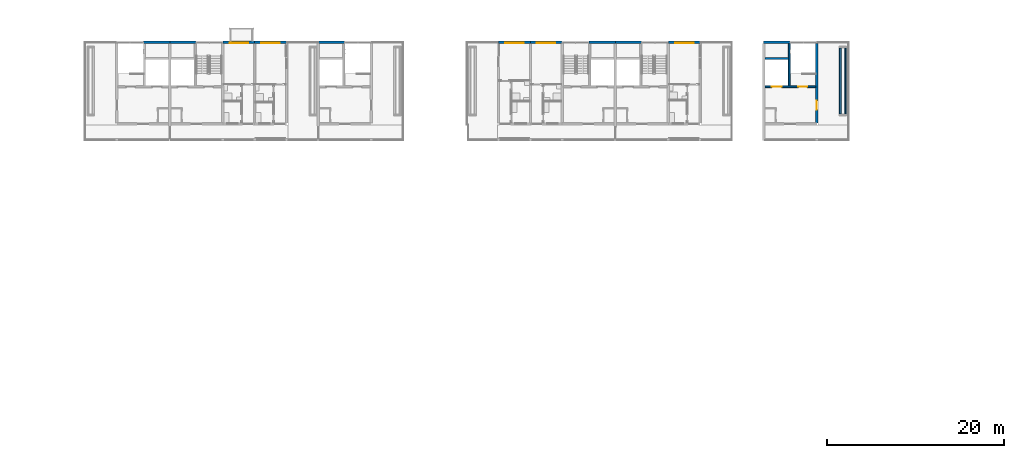
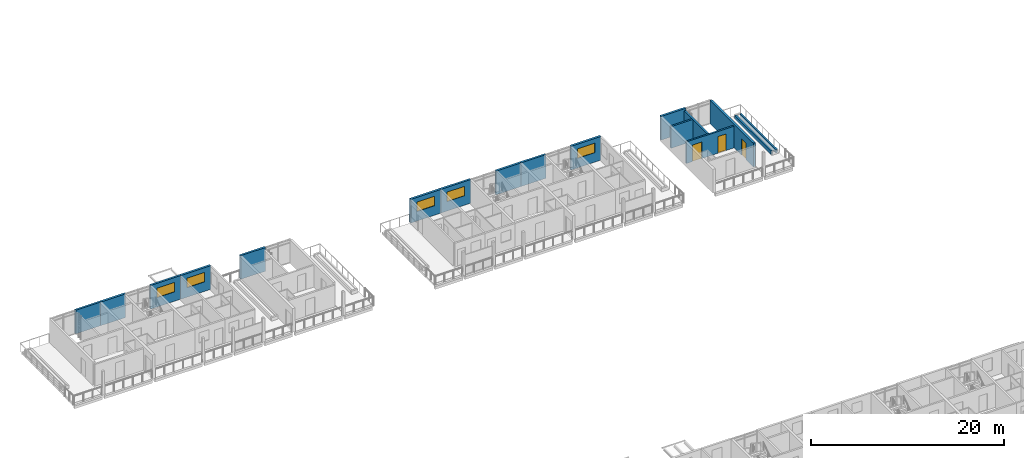
# One storey, part 44 of 94: 17 walls, 5 windows, 3 doors, 8 openings.
"""IFC4 building model written with IfcOpenShell, lengths in metres."""

from ifc_helpers import new_model, si_unit, direction, frame, frame_2d, origin, place, context, subcontext, project, spatial, rectangle, extrude, material, layer, layer_set, type_object, element, fill, save


model = new_model("IFC4")

# Units and contexts
model_context = context("Model", 3, precision=1e-05, world=origin(), true_north=direction((0.0, 1.0)))
body_context = subcontext(model_context, "Body", "Model", "MODEL_VIEW")
ifc_project = project(units=[si_unit("LENGTHUNIT", "METRE"), si_unit("AREAUNIT", "SQUARE_METRE"), si_unit("VOLUMEUNIT", "CUBIC_METRE"), si_unit("PLANEANGLEUNIT", "RADIAN"), si_unit("MASSUNIT", "GRAM", prefix="KILO")], contexts=[model_context])

# Site, building, storey
site_placement = place(None, origin())
site = spatial("IfcSite", under=ifc_project, at=site_placement, CompositionType="ELEMENT")
building_placement = place(site_placement, origin())
building = spatial("IfcBuilding", under=site, at=building_placement, Name="Ridgestep Commons", CompositionType="ELEMENT")
storey_placement = place(building_placement, frame((0.0, 0.0, 24.0)))
storey = spatial("IfcBuildingStorey", under=building, at=storey_placement, Name="L08", CompositionType="ELEMENT", Elevation=24.0)

# Wall, openings, doors
ifc_material_1 = material(Name="Concrete C30/37", Category="concrete")
ifc_layer_1 = layer(ifc_material_1, 0.199951171875)
ifc_layer_set_1 = layer_set([ifc_layer_1], Name="Core wall 200")
wall_type_1 = type_object("IfcWallType", Name="Core wall 200", PredefinedType="SHEAR", material=ifc_layer_set_1)
wall_1_placement = place(storey_placement, frame((96.14990234375, 72.10009765625, 0.0), z_axis=(0.0, 0.0, 1.0), x_axis=(1.0, 0.0, 0.0)))
wall_1 = element("IfcWall", 1, at=wall_1_placement, inside=storey, type_object=wall_type_1, Name="Core lobby wall B6C L08", PredefinedType="SHEAR", context=body_context, shape_type="SweptSolid", body=[
    extrude(rectangle(XDim=5.72509765625, YDim=0.199951171875, at=frame_2d((2.862548828125, 0.0))), origin(), (0.0, 0.0, 1.0), 2.75),
])
opening_1_placement = place(wall_1_placement, frame((3.77490234375, 0.0, 0.0)))
opening_1 = element("IfcOpeningElement", 2, at=opening_1_placement, cuts=wall_1, Name="Opening B6C/08/2", PredefinedType="OPENING", context=body_context, shape_type="SweptSolid", body=[
    extrude(rectangle(XDim=1.0, YDim=2.10009765625, at=frame_2d((0.5, 1.050048828125))), frame((0.0, 0.10986328125, 0.0), z_axis=(0.0, -1.0, 0.0), x_axis=(1.0, 0.0, 0.0)), (0.0, 0.0, 1.0), 0.219970703125),
])
opening_2_placement = place(wall_1_placement, frame((0.762451171875, 0.0, 0.0)))
opening_2 = element("IfcOpeningElement", 3, at=opening_2_placement, cuts=wall_1, Name="Opening B6C/08/3", PredefinedType="OPENING", context=body_context, shape_type="SweptSolid", body=[
    extrude(rectangle(XDim=1.10009765625, YDim=2.10009765625, at=frame_2d((0.550048828125, 1.050048828125))), frame((0.0, 0.10986328125, 0.0), z_axis=(0.0, -1.0, 0.0), x_axis=(1.0, 0.0, 0.0)), (0.0, 0.0, 1.0), 0.219970703125),
])
ifc_material_2 = material(Name="Stainless steel", Category="steel")
door_type_1 = type_object("IfcDoorType", Name="Lift landing door 1100 x 2100 FD60", OperationType="DOUBLE_DOOR_SLIDING", PredefinedType="DOOR", material=ifc_material_2)
door_1_placement = place(opening_2_placement, origin())
door_1 = element("IfcDoor", 4, at=door_1_placement, inside=storey, type_object=door_type_1, Name="Landing door LD B6C L08", OperationType="DOUBLE_DOOR_SLIDING", OverallHeight=2.10009765625, OverallWidth=1.10009765625, PredefinedType="DOOR", context=body_context, shape_type="SweptSolid", body=[
    extrude(rectangle(XDim=1.10009765625, YDim=2.10009765625, at=frame_2d((0.550048828125, 1.050048828125))), frame((0.0, 0.02490234375, 0.0), z_axis=(0.0, -1.0, 0.0), x_axis=(1.0, 0.0, 0.0)), (0.0, 0.0, 1.0), 0.050048828125),
])
fill(opening_2, door_1)
ifc_material_3 = material(Name="Steel fire door", Category="steel")
door_type_2 = type_object("IfcDoorType", Name="Stair door 1000 x 2100 FD60", OperationType="NOTDEFINED", PredefinedType="DOOR", material=ifc_material_3)
door_2_placement = place(opening_1_placement, origin())
door_2 = element("IfcDoor", 5, at=door_2_placement, inside=storey, type_object=door_type_2, Name="Stair door B6C/08/2", OperationType="SINGLE_SWING_RIGHT", OverallHeight=2.10009765625, OverallWidth=1.0, PredefinedType="DOOR", context=body_context, shape_type="SweptSolid", body=[
    extrude(rectangle(XDim=1.0, YDim=2.10009765625, at=frame_2d((0.5, 1.050048828125))), frame((0.0, 0.02490234375, 0.0), z_axis=(0.0, -1.0, 0.0), x_axis=(1.0, 0.0, 0.0)), (0.0, 0.0, 1.0), 0.050048828125),
])
fill(opening_1, door_2)

# Walls
wall_2_placement = place(storey_placement, frame((98.875, 72.199951171875, 0.0), z_axis=(0.0, 0.0, 1.0), x_axis=(0.0, 1.0, 0.0)))
element("IfcWall", 6, at=wall_2_placement, inside=storey, type_object=wall_type_1, Name="Core stair wall B6C L08", PredefinedType="SHEAR", context=body_context, shape_type="SweptSolid", body=[
    extrude(rectangle(XDim=4.800048828125, YDim=0.199951171875, at=frame_2d((2.39990234375, 0.0))), origin(), (0.0, 0.0, 1.0), 2.75),
])
wall_3_placement = place(storey_placement, frame((96.14990234375, 75.300048828125, 0.0), z_axis=(0.0, 0.0, 1.0), x_axis=(1.0, 0.0, 0.0)))
element("IfcWall", 7, at=wall_3_placement, inside=storey, type_object=wall_type_1, Name="Core duct wall B6C L08", PredefinedType="SHEAR", context=body_context, shape_type="SweptSolid", body=[
    extrude(rectangle(XDim=2.625, YDim=0.199951171875, at=frame_2d((1.3125, 0.0))), origin(), (0.0, 0.0, 1.0), 2.75),
])

# Wall, opening, door
ifc_material_4 = material(Name="Concrete C30/37", Category="concrete")
ifc_layer_2 = layer(ifc_material_4, 0.25)
ifc_layer_set_2 = layer_set([ifc_layer_2], Name="Exposed core cross wall 250")
wall_type_2 = type_object("IfcWallType", Name="Exposed core cross wall 250", PredefinedType="SHEAR", material=ifc_layer_set_2)
wall_4_placement = place(storey_placement, frame((102.0, 68.0, 0.0), z_axis=(0.0, 0.0, 1.0), x_axis=(0.0, 1.0, 0.0)))
wall_4 = element("IfcWall", 8, at=wall_4_placement, inside=storey, type_object=wall_type_2, Name="Cross wall B-08-1020", PredefinedType="SHEAR", context=body_context, shape_type="SweptSolid", body=[
    extrude(rectangle(XDim=9.0, YDim=0.25, at=frame_2d((4.5, 0.0))), origin(), (0.0, 0.0, 1.0), 3.0),
])
opening_3_placement = place(wall_4_placement, frame((1.5, 0.0, 0.0)))
opening_3 = element("IfcOpeningElement", 9, at=opening_3_placement, cuts=wall_4, Name="Opening B6C/08/T", PredefinedType="OPENING", context=body_context, shape_type="SweptSolid", body=[
    extrude(rectangle(XDim=1.0, YDim=2.10009765625, at=frame_2d((0.5, 1.050048828125))), frame((0.0, 0.135009765625, 0.0), z_axis=(0.0, -1.0, 0.0), x_axis=(1.0, 0.0, 0.0)), (0.0, 0.0, 1.0), 0.27001953125),
])
ifc_material_5 = material(Name="Aluminium and glass", Category="aluminium")
door_type_3 = type_object("IfcDoorType", Name="Terrace door 1000 x 2100 FD60", OperationType="NOTDEFINED", PredefinedType="DOOR", material=ifc_material_5)
door_3_placement = place(opening_3_placement, origin())
door_3 = element("IfcDoor", 10, at=door_3_placement, inside=storey, type_object=door_type_3, Name="Terrace door B6C/08/T", OperationType="SINGLE_SWING_RIGHT", OverallHeight=2.10009765625, OverallWidth=1.0, PredefinedType="DOOR", context=body_context, shape_type="SweptSolid", body=[
    extrude(rectangle(XDim=1.0, YDim=2.10009765625, at=frame_2d((0.5, 1.050048828125))), frame((0.0, 0.02490234375, 0.0), z_axis=(0.0, -1.0, 0.0), x_axis=(1.0, 0.0, 0.0)), (0.0, 0.0, 1.0), 0.050048828125),
])
fill(opening_3, door_3)

# Walls
ifc_material_6 = material(Name="Precast concrete C40/50", Category="concrete")
ifc_layer_3 = layer(ifc_material_6, 0.25)
ifc_layer_set_3 = layer_set([ifc_layer_3], Name="North facade panel 250")
wall_type_3 = type_object("IfcWallType", Name="North facade panel 250", PredefinedType="SOLIDWALL", material=ifc_layer_set_3)
wall_5_placement = place(storey_placement, frame((25.824951171875, 77.125, 0.0), z_axis=(0.0, 0.0, 1.0), x_axis=(1.0, 0.0, 0.0)))
element("IfcWall", 11, at=wall_5_placement, inside=storey, type_object=wall_type_3, Name="North panel B1C L08", PredefinedType="SOLIDWALL", context=body_context, shape_type="SweptSolid", body=[
    extrude(rectangle(XDim=2.97509765625, YDim=0.25, at=frame_2d((1.487548828125, 0.0))), origin(), (0.0, 0.0, 1.0), 3.0),
])
wall_6_placement = place(storey_placement, frame((28.800048828125, 77.125, 0.0), z_axis=(0.0, 0.0, 1.0), x_axis=(1.0, 0.0, 0.0)))
element("IfcWall", 12, at=wall_6_placement, inside=storey, type_object=wall_type_3, Name="North panel B2C L08", PredefinedType="SOLIDWALL", context=body_context, shape_type="SweptSolid", body=[
    extrude(rectangle(XDim=2.974853515625, YDim=0.25, at=frame_2d((1.4873046875, 0.0))), origin(), (0.0, 0.0, 1.0), 3.0),
])

# Wall, opening, window
wall_7_placement = place(storey_placement, frame((34.800048828125, 77.125, 0.0), z_axis=(0.0, 0.0, 1.0), x_axis=(1.0, 0.0, 0.0)))
wall_7 = element("IfcWall", 13, at=wall_7_placement, inside=storey, type_object=wall_type_3, Name="North panel B2T3 L08", PredefinedType="SOLIDWALL", context=body_context, shape_type="SweptSolid", body=[
    extrude(rectangle(XDim=3.599853515625, YDim=0.25, at=frame_2d((1.7998046875, 0.0))), origin(), (0.0, 0.0, 1.0), 3.0),
])
opening_4_placement = place(wall_7_placement, frame((0.762451171875, 0.0, 1.199951171875)))
opening_4 = element("IfcOpeningElement", 14, at=opening_4_placement, cuts=wall_7, Name="Opening W22", PredefinedType="OPENING", context=body_context, shape_type="SweptSolid", body=[
    extrude(rectangle(XDim=2.10009765625, YDim=1.199951171875, at=frame_2d((1.050048828125, 0.60009765625))), frame((0.0, 0.135009765625, 0.0), z_axis=(0.0, -1.0, 0.0), x_axis=(1.0, 0.0, 0.0)), (0.0, 0.0, 1.0), 0.27001953125),
])
ifc_material_7 = material(Name="Aluminium 6063-T6 and glass", Category="aluminium")
window_type = type_object("IfcWindowType", Name="Flat window 2100 x 1200", PartitioningType="DOUBLE_PANEL_VERTICAL", PredefinedType="WINDOW", material=ifc_material_7)
window_1_placement = place(opening_4_placement, origin())
window_1 = element("IfcWindow", 15, at=window_1_placement, inside=storey, type_object=window_type, Name="Window B2-08b 2", OverallHeight=1.199951171875, OverallWidth=2.10009765625, PartitioningType="SINGLE_PANEL", PredefinedType="WINDOW", context=body_context, shape_type="SweptSolid", body=[
    extrude(rectangle(XDim=2.10009765625, YDim=1.199951171875, at=frame_2d((1.050048828125, 0.60009765625))), frame((0.0, -0.02490234375, 0.0), z_axis=(0.0, -1.0, 0.0), x_axis=(1.0, 0.0, 0.0)), (0.0, 0.0, 1.0), 0.06005859375),
])
fill(opening_4, window_1)

wall_8_placement = place(storey_placement, frame((38.39990234375, 77.125, 0.0), z_axis=(0.0, 0.0, 1.0), x_axis=(1.0, 0.0, 0.0)))
wall_8 = element("IfcWall", 16, at=wall_8_placement, inside=storey, type_object=wall_type_3, Name="North panel B2T2 L08", PredefinedType="SOLIDWALL", context=body_context, shape_type="SweptSolid", body=[
    extrude(rectangle(XDim=3.60009765625, YDim=0.25, at=frame_2d((1.800048828125, 0.0))), origin(), (0.0, 0.0, 1.0), 3.0),
])
opening_5_placement = place(wall_8_placement, frame((0.75, 0.0, 1.199951171875)))
opening_5 = element("IfcOpeningElement", 17, at=opening_5_placement, cuts=wall_8, Name="Opening W22", PredefinedType="OPENING", context=body_context, shape_type="SweptSolid", body=[
    extrude(rectangle(XDim=2.10009765625, YDim=1.199951171875, at=frame_2d((1.050048828125, 0.60009765625))), frame((0.0, 0.135009765625, 0.0), z_axis=(0.0, -1.0, 0.0), x_axis=(1.0, 0.0, 0.0)), (0.0, 0.0, 1.0), 0.27001953125),
])
window_2_placement = place(opening_5_placement, origin())
window_2 = element("IfcWindow", 18, at=window_2_placement, inside=storey, type_object=window_type, Name="Window B2-08a 2", OverallHeight=1.199951171875, OverallWidth=2.10009765625, PartitioningType="SINGLE_PANEL", PredefinedType="WINDOW", context=body_context, shape_type="SweptSolid", body=[
    extrude(rectangle(XDim=2.10009765625, YDim=1.199951171875, at=frame_2d((1.050048828125, 0.60009765625))), frame((0.0, -0.02490234375, 0.0), z_axis=(0.0, -1.0, 0.0), x_axis=(1.0, 0.0, 0.0)), (0.0, 0.0, 1.0), 0.06005859375),
])
fill(opening_5, window_2)

# Wall
wall_9_placement = place(storey_placement, frame((45.60009765625, 77.125, 0.0), z_axis=(0.0, 0.0, 1.0), x_axis=(1.0, 0.0, 0.0)))
element("IfcWall", 19, at=wall_9_placement, inside=storey, type_object=wall_type_3, Name="North panel B3C L08", PredefinedType="SOLIDWALL", context=body_context, shape_type="SweptSolid", body=[
    extrude(rectangle(XDim=2.974853515625, YDim=0.25, at=frame_2d((1.4873046875, 0.0))), origin(), (0.0, 0.0, 1.0), 3.0),
])

# Wall, opening, window
wall_10_placement = place(storey_placement, frame((66.0, 77.125, 0.0), z_axis=(0.0, 0.0, 1.0), x_axis=(1.0, 0.0, 0.0)))
wall_10 = element("IfcWall", 20, at=wall_10_placement, inside=storey, type_object=wall_type_3, Name="North panel B4T2 L08", PredefinedType="SOLIDWALL", context=body_context, shape_type="SweptSolid", body=[
    extrude(rectangle(XDim=3.60009765625, YDim=0.25, at=frame_2d((1.800048828125, 0.0))), origin(), (0.0, 0.0, 1.0), 3.0),
])
opening_6_placement = place(wall_10_placement, frame((0.75, 0.0, 1.199951171875)))
opening_6 = element("IfcOpeningElement", 21, at=opening_6_placement, cuts=wall_10, Name="Opening W22", PredefinedType="OPENING", context=body_context, shape_type="SweptSolid", body=[
    extrude(rectangle(XDim=2.10009765625, YDim=1.199951171875, at=frame_2d((1.050048828125, 0.60009765625))), frame((0.0, 0.135009765625, 0.0), z_axis=(0.0, -1.0, 0.0), x_axis=(1.0, 0.0, 0.0)), (0.0, 0.0, 1.0), 0.27001953125),
])
window_3_placement = place(opening_6_placement, origin())
window_3 = element("IfcWindow", 22, at=window_3_placement, inside=storey, type_object=window_type, Name="Window B4-08a 2", OverallHeight=1.199951171875, OverallWidth=2.10009765625, PartitioningType="SINGLE_PANEL", PredefinedType="WINDOW", context=body_context, shape_type="SweptSolid", body=[
    extrude(rectangle(XDim=2.10009765625, YDim=1.199951171875, at=frame_2d((1.050048828125, 0.60009765625))), frame((0.0, -0.02490234375, 0.0), z_axis=(0.0, -1.0, 0.0), x_axis=(1.0, 0.0, 0.0)), (0.0, 0.0, 1.0), 0.06005859375),
])
fill(opening_6, window_3)

wall_11_placement = place(storey_placement, frame((69.60009765625, 77.125, 0.0), z_axis=(0.0, 0.0, 1.0), x_axis=(1.0, 0.0, 0.0)))
wall_11 = element("IfcWall", 23, at=wall_11_placement, inside=storey, type_object=wall_type_3, Name="North panel B4T3 L08", PredefinedType="SOLIDWALL", context=body_context, shape_type="SweptSolid", body=[
    extrude(rectangle(XDim=3.599853515625, YDim=0.25, at=frame_2d((1.7998046875, 0.0))), origin(), (0.0, 0.0, 1.0), 3.0),
])
opening_7_placement = place(wall_11_placement, frame((0.737548828125, 0.0, 1.199951171875)))
opening_7 = element("IfcOpeningElement", 24, at=opening_7_placement, cuts=wall_11, Name="Opening W22", PredefinedType="OPENING", context=body_context, shape_type="SweptSolid", body=[
    extrude(rectangle(XDim=2.10009765625, YDim=1.199951171875, at=frame_2d((1.050048828125, 0.60009765625))), frame((0.0, 0.135009765625, 0.0), z_axis=(0.0, -1.0, 0.0), x_axis=(1.0, 0.0, 0.0)), (0.0, 0.0, 1.0), 0.27001953125),
])
window_4_placement = place(opening_7_placement, origin())
window_4 = element("IfcWindow", 25, at=window_4_placement, inside=storey, type_object=window_type, Name="Window B4-08b 2", OverallHeight=1.199951171875, OverallWidth=2.10009765625, PartitioningType="SINGLE_PANEL", PredefinedType="WINDOW", context=body_context, shape_type="SweptSolid", body=[
    extrude(rectangle(XDim=2.10009765625, YDim=1.199951171875, at=frame_2d((1.050048828125, 0.60009765625))), frame((0.0, -0.02490234375, 0.0), z_axis=(0.0, -1.0, 0.0), x_axis=(1.0, 0.0, 0.0)), (0.0, 0.0, 1.0), 0.06005859375),
])
fill(opening_7, window_4)

# Walls
wall_12_placement = place(storey_placement, frame((76.22509765625, 77.125, 0.0), z_axis=(0.0, 0.0, 1.0), x_axis=(1.0, 0.0, 0.0)))
element("IfcWall", 26, at=wall_12_placement, inside=storey, type_object=wall_type_3, Name="North panel B4C L08", PredefinedType="SOLIDWALL", context=body_context, shape_type="SweptSolid", body=[
    extrude(rectangle(XDim=2.974853515625, YDim=0.25, at=frame_2d((1.4873046875, 0.0))), origin(), (0.0, 0.0, 1.0), 3.0),
])
wall_13_placement = place(storey_placement, frame((79.199951171875, 77.125, 0.0), z_axis=(0.0, 0.0, 1.0), x_axis=(1.0, 0.0, 0.0)))
element("IfcWall", 27, at=wall_13_placement, inside=storey, type_object=wall_type_3, Name="North panel B5C L08", PredefinedType="SOLIDWALL", context=body_context, shape_type="SweptSolid", body=[
    extrude(rectangle(XDim=2.97509765625, YDim=0.25, at=frame_2d((1.487548828125, 0.0))), origin(), (0.0, 0.0, 1.0), 3.0),
])

# Wall, opening, window
wall_14_placement = place(storey_placement, frame((85.199951171875, 77.125, 0.0), z_axis=(0.0, 0.0, 1.0), x_axis=(1.0, 0.0, 0.0)))
wall_14 = element("IfcWall", 28, at=wall_14_placement, inside=storey, type_object=wall_type_3, Name="North panel B5T3 L08", PredefinedType="SOLIDWALL", context=body_context, shape_type="SweptSolid", body=[
    extrude(rectangle(XDim=3.60009765625, YDim=0.25, at=frame_2d((1.800048828125, 0.0))), origin(), (0.0, 0.0, 1.0), 3.0),
])
opening_8_placement = place(wall_14_placement, frame((0.762451171875, 0.0, 1.199951171875)))
opening_8 = element("IfcOpeningElement", 29, at=opening_8_placement, cuts=wall_14, Name="Opening W22", PredefinedType="OPENING", context=body_context, shape_type="SweptSolid", body=[
    extrude(rectangle(XDim=2.10009765625, YDim=1.199951171875, at=frame_2d((1.050048828125, 0.60009765625))), frame((0.0, 0.135009765625, 0.0), z_axis=(0.0, -1.0, 0.0), x_axis=(1.0, 0.0, 0.0)), (0.0, 0.0, 1.0), 0.27001953125),
])
window_5_placement = place(opening_8_placement, origin())
window_5 = element("IfcWindow", 30, at=window_5_placement, inside=storey, type_object=window_type, Name="Window B5-08a 2", OverallHeight=1.199951171875, OverallWidth=2.10009765625, PartitioningType="SINGLE_PANEL", PredefinedType="WINDOW", context=body_context, shape_type="SweptSolid", body=[
    extrude(rectangle(XDim=2.10009765625, YDim=1.199951171875, at=frame_2d((1.050048828125, 0.60009765625))), frame((0.0, -0.02490234375, 0.0), z_axis=(0.0, -1.0, 0.0), x_axis=(1.0, 0.0, 0.0)), (0.0, 0.0, 1.0), 0.06005859375),
])
fill(opening_8, window_5)

# Walls
wall_15_placement = place(storey_placement, frame((96.0, 77.125, 0.0), z_axis=(0.0, 0.0, 1.0), x_axis=(1.0, 0.0, 0.0)))
element("IfcWall", 31, at=wall_15_placement, inside=storey, type_object=wall_type_3, Name="North panel B6C L08", PredefinedType="SOLIDWALL", context=body_context, shape_type="SweptSolid", body=[
    extrude(rectangle(XDim=2.97509765625, YDim=0.25, at=frame_2d((1.487548828125, 0.0))), origin(), (0.0, 0.0, 1.0), 3.0),
])
ifc_material_8 = material(Name="Facing brick", Category="masonry")
ifc_layer_4 = layer(ifc_material_8, 0.199951171875)
ifc_layer_set_4 = layer_set([ifc_layer_4], Name="Planter wall 200")
wall_type_4 = type_object("IfcWallType", Name="Planter wall 200", PredefinedType="SOLIDWALL", material=ifc_layer_set_4)
for number, where, z_axis, x_axis, name in (
    (32, (104.64990234375, 69.0, 0.010009765625), (0.0, 0.0, 1.0), (0.0, 1.0, 0.0), "Planter wall B6R3W"),
    (33, (105.25, 69.0, 0.010009765625), (0.0, 0.0, 1.0), (0.0, 1.0, 0.0), "Planter wall B6R3E"),
):
    element("IfcWall", number, at=place(storey_placement, frame(where, z_axis=z_axis, x_axis=x_axis)), inside=storey, type_object=wall_type_4, Name=name, PredefinedType="SOLIDWALL", context=body_context, shape_type="SweptSolid", body=[
        extrude(rectangle(XDim=7.5, YDim=0.199951171875, at=frame_2d((3.75, 0.0))), origin(), (0.0, 0.0, 1.0), 0.449951171875),
    ])

save(model, "model.ifc")
